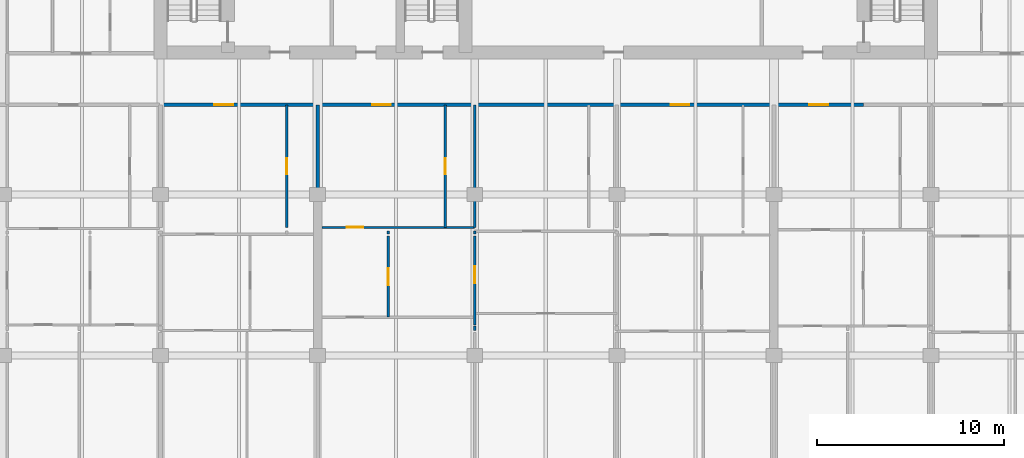
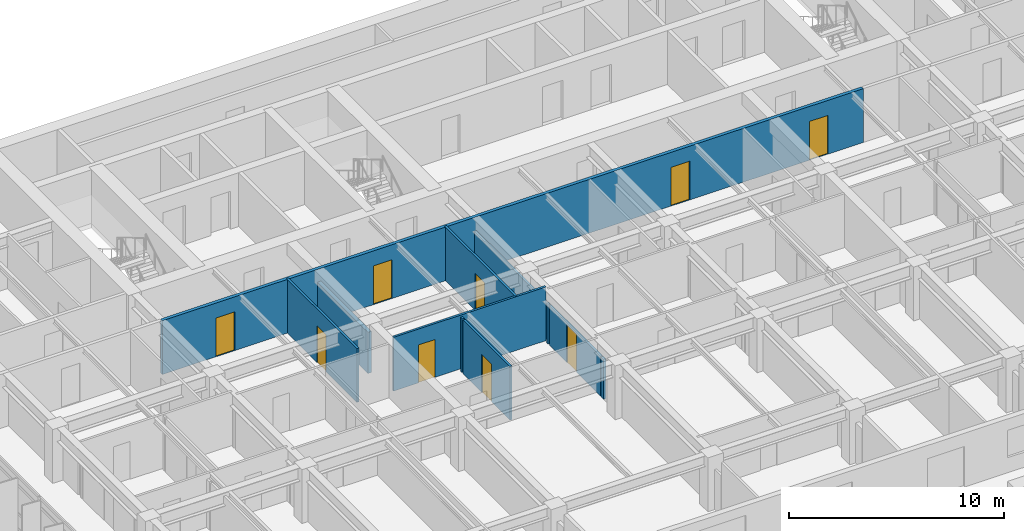
# One storey, part 8 of 17: 11 walls, 9 doors, 9 openings.
"""IFC4 building model written with IfcOpenShell, lengths in metres."""

from ifc_helpers import new_model, si_unit, direction, frame, frame_2d, origin, place, context, subcontext, project, spatial, rectangle, extrude, material, layer, layer_set, type_object, element, fill, save


model = new_model("IFC4")

# Units and contexts
model_context = context("Model", 3, precision=1e-05, world=origin(), true_north=direction((0.0, 1.0)))
body_context = subcontext(model_context, "Body", "Model", "MODEL_VIEW")
ifc_project = project(units=[si_unit("LENGTHUNIT", "METRE"), si_unit("AREAUNIT", "SQUARE_METRE"), si_unit("VOLUMEUNIT", "CUBIC_METRE"), si_unit("PLANEANGLEUNIT", "RADIAN"), si_unit("MASSUNIT", "GRAM", prefix="KILO")], contexts=[model_context])

# Site, building, storey
site_placement = place(None, origin())
site = spatial("IfcSite", under=ifc_project, at=site_placement, CompositionType="ELEMENT")
building_placement = place(site_placement, origin())
building = spatial("IfcBuilding", under=site, at=building_placement, Name="Caelmar Bay Residences", CompositionType="ELEMENT")
storey_placement = place(building_placement, frame((0.0, 0.0, 157.199951171875)))
storey = spatial("IfcBuildingStorey", under=building, at=storey_placement, Name="L43", CompositionType="ELEMENT", Elevation=157.199951171875)

# Wall, openings, doors
ifc_material_1 = material(Name="Double-stud acoustic fire-rated gypsum partition 180 mm")
ifc_layer_1 = layer(ifc_material_1, 0.179931640625)
ifc_layer_set_1 = layer_set([ifc_layer_1], Name="Double-stud acoustic fire-rated gypsum partition 180 mm")
wall_type_1 = type_object("IfcWallType", Name="W-COR-200", PredefinedType="PARTITIONING", material=ifc_layer_set_1)
wall_1_placement = place(storey_placement, frame((18.300048828125, 34.199951171875, 0.0), z_axis=(0.0, 0.0, 1.0), x_axis=(1.0, 0.0, 0.0)))
wall_1 = element("IfcWall", 1, at=wall_1_placement, inside=storey, type_object=wall_type_1, Name="L43 Partition Wall H119", PredefinedType="PARTITIONING", context=body_context, shape_type="SweptSolid", body=[
    extrude(rectangle(XDim=37.5859375, YDim=0.179931640625, at=frame_2d((18.79296875, 0.0))), origin(), (0.0, 0.0, 1.0), 3.050048828125),
])
opening_1_placement = place(wall_1_placement, frame((2.875, 0.0, 0.0)))
opening_1 = element("IfcOpeningElement", 2, at=opening_1_placement, cuts=wall_1, Name="Opening D-L43-126", PredefinedType="OPENING", context=body_context, shape_type="SweptSolid", body=[
    extrude(rectangle(XDim=1.0, YDim=2.199951171875, at=frame_2d((0.5, 1.10009765625))), frame((0.0, 0.099853515625, 0.0), z_axis=(0.0, -1.0, 0.0), x_axis=(1.0, 0.0, 0.0)), (0.0, 0.0, 1.0), 0.199951171875),
])
opening_2_placement = place(wall_1_placement, frame((11.31494140625, 0.0, 0.0)))
opening_2 = element("IfcOpeningElement", 3, at=opening_2_placement, cuts=wall_1, Name="Opening D-L43-132", PredefinedType="OPENING", context=body_context, shape_type="SweptSolid", body=[
    extrude(rectangle(XDim=1.0, YDim=2.199951171875, at=frame_2d((0.5, 1.10009765625))), frame((0.0, 0.099853515625, 0.0), z_axis=(0.0, -1.0, 0.0), x_axis=(1.0, 0.0, 0.0)), (0.0, 0.0, 1.0), 0.199951171875),
])
opening_3_placement = place(wall_1_placement, frame((27.27490234375, 0.0, 0.0)))
opening_3 = element("IfcOpeningElement", 4, at=opening_3_placement, cuts=wall_1, Name="Opening D-L43-142", PredefinedType="OPENING", context=body_context, shape_type="SweptSolid", body=[
    extrude(rectangle(XDim=1.0, YDim=2.199951171875, at=frame_2d((0.5, 1.10009765625))), frame((0.0, 0.099853515625, 0.0), z_axis=(0.0, -1.0, 0.0), x_axis=(1.0, 0.0, 0.0)), (0.0, 0.0, 1.0), 0.199951171875),
])
opening_4_placement = place(wall_1_placement, frame((34.693115234375, 0.0, 0.0)))
opening_4 = element("IfcOpeningElement", 5, at=opening_4_placement, cuts=wall_1, Name="Opening D-L43-148", PredefinedType="OPENING", context=body_context, shape_type="SweptSolid", body=[
    extrude(rectangle(XDim=1.0, YDim=2.199951171875, at=frame_2d((0.5, 1.10009765625))), frame((0.0, 0.099853515625, 0.0), z_axis=(0.0, -1.0, 0.0), x_axis=(1.0, 0.0, 0.0)), (0.0, 0.0, 1.0), 0.199951171875),
])
ifc_material_2 = material(Name="Fire-rated steel and walnut architectural door assembly", Category="steel")
ifc_layer_2 = layer(ifc_material_2, 0.050048828125)
ifc_layer_set_2 = layer_set([ifc_layer_2], Name="Fire-rated steel and walnut architectural door assembly")
door_type_1 = type_object("IfcDoorType", Name="D-UNIT-1000", OperationType="NOTDEFINED", PredefinedType="DOOR", material=ifc_layer_set_2)
door_1_placement = place(opening_1_placement, origin())
door_1 = element("IfcDoor", 6, at=door_1_placement, inside=storey, type_object=door_type_1, Name="L43 Residence 02 Apartment Hall Door", OperationType="SINGLE_SWING_LEFT", OverallHeight=2.199951171875, OverallWidth=1.0, PredefinedType="DOOR", context=body_context, shape_type="SweptSolid", body=[
    extrude(rectangle(XDim=1.0, YDim=2.199951171875, at=frame_2d((0.5, 1.10009765625))), frame((0.0, 0.02490234375, 0.0), z_axis=(0.0, -1.0, 0.0), x_axis=(1.0, 0.0, 0.0)), (0.0, 0.0, 1.0), 0.050048828125),
])
fill(opening_1, door_1)
door_2_placement = place(opening_2_placement, origin())
door_2 = element("IfcDoor", 7, at=door_2_placement, inside=storey, type_object=door_type_1, Name="L43 Residence 03 Apartment Hall Door", OperationType="SINGLE_SWING_LEFT", OverallHeight=2.199951171875, OverallWidth=1.0, PredefinedType="DOOR", context=body_context, shape_type="SweptSolid", body=[
    extrude(rectangle(XDim=1.0, YDim=2.199951171875, at=frame_2d((0.5, 1.10009765625))), frame((0.0, 0.02490234375, 0.0), z_axis=(0.0, -1.0, 0.0), x_axis=(1.0, 0.0, 0.0)), (0.0, 0.0, 1.0), 0.050048828125),
])
fill(opening_2, door_2)
door_3_placement = place(opening_3_placement, origin())
door_3 = element("IfcDoor", 8, at=door_3_placement, inside=storey, type_object=door_type_1, Name="L43 Residence 04 Apartment Hall Door", OperationType="SINGLE_SWING_LEFT", OverallHeight=2.199951171875, OverallWidth=1.0, PredefinedType="DOOR", context=body_context, shape_type="SweptSolid", body=[
    extrude(rectangle(XDim=1.0, YDim=2.199951171875, at=frame_2d((0.5, 1.10009765625))), frame((0.0, 0.02490234375, 0.0), z_axis=(0.0, -1.0, 0.0), x_axis=(1.0, 0.0, 0.0)), (0.0, 0.0, 1.0), 0.050048828125),
])
fill(opening_3, door_3)
door_4_placement = place(opening_4_placement, origin())
door_4 = element("IfcDoor", 9, at=door_4_placement, inside=storey, type_object=door_type_1, Name="L43 Residence 05 Apartment Hall Door", OperationType="SINGLE_SWING_LEFT", OverallHeight=2.199951171875, OverallWidth=1.0, PredefinedType="DOOR", context=body_context, shape_type="SweptSolid", body=[
    extrude(rectangle(XDim=1.0, YDim=2.199951171875, at=frame_2d((0.5, 1.10009765625))), frame((0.0, 0.02490234375, 0.0), z_axis=(0.0, -1.0, 0.0), x_axis=(1.0, 0.0, 0.0)), (0.0, 0.0, 1.0), 0.050048828125),
])
fill(opening_4, door_4)

# Wall, opening, door
ifc_material_3 = material(Name="Acoustic metal-stud gypsum partition 120 mm")
ifc_layer_3 = layer(ifc_material_3, 0.1201171875)
ifc_layer_set_3 = layer_set([ifc_layer_3], Name="Acoustic metal-stud gypsum partition 120 mm")
wall_type_2 = type_object("IfcWallType", Name="W-PRT-120", PredefinedType="PARTITIONING", material=ifc_layer_set_3)
wall_2_placement = place(storey_placement, frame((25.050048828125, 27.639892578125, 0.0), z_axis=(0.0, 0.0, 1.0), x_axis=(0.0, 1.0, 0.0)))
wall_2 = element("IfcWall", 10, at=wall_2_placement, inside=storey, type_object=wall_type_2, Name="L43 Partition Wall V029", PredefinedType="PARTITIONING", context=body_context, shape_type="SweptSolid", body=[
    extrude(rectangle(XDim=6.56005859375, YDim=0.1201171875, at=frame_2d((3.280029296875, 0.0))), origin(), (0.0, 0.0, 1.0), 3.050048828125),
])
opening_5_placement = place(wall_2_placement, frame((2.85498046875, 0.0, 0.0)))
opening_5 = element("IfcOpeningElement", 11, at=opening_5_placement, cuts=wall_2, Name="Opening D-L43-127", PredefinedType="OPENING", context=body_context, shape_type="SweptSolid", body=[
    extrude(rectangle(XDim=0.85009765625, YDim=2.10009765625, at=frame_2d((0.425048828125, 1.050048828125))), frame((0.0, 0.070068359375, 0.0), z_axis=(0.0, -1.0, 0.0), x_axis=(1.0, 0.0, 0.0)), (0.0, 0.0, 1.0), 0.14013671875),
])
ifc_material_4 = material(Name="Solid walnut timber interior door leaf and frame", Category="wood")
ifc_layer_4 = layer(ifc_material_4, 0.050048828125)
ifc_layer_set_4 = layer_set([ifc_layer_4], Name="Solid walnut timber interior door leaf and frame")
door_type_2 = type_object("IfcDoorType", Name="D-BATH-850", OperationType="NOTDEFINED", PredefinedType="DOOR", material=ifc_layer_set_4)
door_5_placement = place(opening_5_placement, origin())
door_5 = element("IfcDoor", 12, at=door_5_placement, inside=storey, type_object=door_type_2, Name="L43 Residence 02 Bathroom Door", OperationType="SINGLE_SWING_RIGHT", OverallHeight=2.10009765625, OverallWidth=0.85009765625, PredefinedType="DOOR", context=body_context, shape_type="SweptSolid", body=[
    extrude(rectangle(XDim=0.85009765625, YDim=2.10009765625, at=frame_2d((0.425048828125, 1.050048828125))), frame((0.0, 0.02490234375, 0.0), z_axis=(0.0, -1.0, 0.0), x_axis=(1.0, 0.0, 0.0)), (0.0, 0.0, 1.0), 0.050048828125),
])
fill(opening_5, door_5)

wall_3_placement = place(storey_placement, frame((30.47998046875, 22.840087890625, 0.0), z_axis=(0.0, 0.0, 1.0), x_axis=(0.0, 1.0, 0.0)))
wall_3 = element("IfcWall", 13, at=wall_3_placement, inside=storey, type_object=wall_type_2, Name="L43 Partition Wall V036", PredefinedType="PARTITIONING", context=body_context, shape_type="SweptSolid", body=[
    extrude(rectangle(XDim=4.33984375, YDim=0.1201171875, at=frame_2d((2.169921875, 0.0))), origin(), (0.0, 0.0, 1.0), 3.050048828125),
])
opening_6_placement = place(wall_3_placement, frame((1.719970703125, 0.0, 0.0)))
opening_6 = element("IfcOpeningElement", 14, at=opening_6_placement, cuts=wall_3, Name="Opening D-L43-135", PredefinedType="OPENING", context=body_context, shape_type="SweptSolid", body=[
    extrude(rectangle(XDim=0.89990234375, YDim=2.14990234375, at=frame_2d((0.449951171875, 1.074951171875))), frame((0.0, 0.070068359375, 0.0), z_axis=(0.0, -1.0, 0.0), x_axis=(1.0, 0.0, 0.0)), (0.0, 0.0, 1.0), 0.14013671875),
])
ifc_layer_5 = layer(ifc_material_4, 0.050048828125)
ifc_layer_set_5 = layer_set([ifc_layer_5], Name="Solid walnut timber interior door leaf and frame")
door_type_3 = type_object("IfcDoorType", Name="D-ROOM-900", OperationType="NOTDEFINED", PredefinedType="DOOR", material=ifc_layer_set_5)
door_6_placement = place(opening_6_placement, origin())
door_6 = element("IfcDoor", 15, at=door_6_placement, inside=storey, type_object=door_type_3, Name="L43 Residence 03 Kitchen Door", OperationType="SINGLE_SWING_RIGHT", OverallHeight=2.14990234375, OverallWidth=0.89990234375, PredefinedType="DOOR", context=body_context, shape_type="SweptSolid", body=[
    extrude(rectangle(XDim=0.89990234375, YDim=2.14990234375, at=frame_2d((0.449951171875, 1.074951171875))), frame((0.0, 0.02490234375, 0.0), z_axis=(0.0, -1.0, 0.0), x_axis=(1.0, 0.0, 0.0)), (0.0, 0.0, 1.0), 0.050048828125),
])
fill(opening_6, door_6)

# Wall
wall_4_placement = place(storey_placement, frame((30.47998046875, 27.280029296875, 0.0), z_axis=(0.0, 0.0, 1.0), x_axis=(0.0, 1.0, 0.0)))
element("IfcWall", 16, at=wall_4_placement, inside=storey, type_object=wall_type_2, Name="L43 Partition Wall V037", PredefinedType="PARTITIONING", context=body_context, shape_type="SweptSolid", body=[
    extrude(rectangle(XDim=0.159912109375, YDim=0.1201171875, at=frame_2d((0.080078125, 0.0))), origin(), (0.0, 0.0, 1.0), 3.050048828125),
])

# Wall, opening, door
wall_5_placement = place(storey_placement, frame((33.530029296875, 27.639892578125, 0.0), z_axis=(0.0, 0.0, 1.0), x_axis=(0.0, 1.0, 0.0)))
wall_5 = element("IfcWall", 17, at=wall_5_placement, inside=storey, type_object=wall_type_2, Name="L43 Partition Wall V038", PredefinedType="PARTITIONING", context=body_context, shape_type="SweptSolid", body=[
    extrude(rectangle(XDim=6.56005859375, YDim=0.1201171875, at=frame_2d((3.280029296875, 0.0))), origin(), (0.0, 0.0, 1.0), 3.050048828125),
])
opening_7_placement = place(wall_5_placement, frame((2.85498046875, 0.0, 0.0)))
opening_7 = element("IfcOpeningElement", 18, at=opening_7_placement, cuts=wall_5, Name="Opening D-L43-133", PredefinedType="OPENING", context=body_context, shape_type="SweptSolid", body=[
    extrude(rectangle(XDim=0.85009765625, YDim=2.10009765625, at=frame_2d((0.425048828125, 1.050048828125))), frame((0.0, 0.070068359375, 0.0), z_axis=(0.0, -1.0, 0.0), x_axis=(1.0, 0.0, 0.0)), (0.0, 0.0, 1.0), 0.14013671875),
])
door_7_placement = place(opening_7_placement, origin())
door_7 = element("IfcDoor", 19, at=door_7_placement, inside=storey, type_object=door_type_2, Name="L43 Residence 03 Guest Bathroom Door", OperationType="SINGLE_SWING_RIGHT", OverallHeight=2.10009765625, OverallWidth=0.85009765625, PredefinedType="DOOR", context=body_context, shape_type="SweptSolid", body=[
    extrude(rectangle(XDim=0.85009765625, YDim=2.10009765625, at=frame_2d((0.425048828125, 1.050048828125))), frame((0.0, 0.02490234375, 0.0), z_axis=(0.0, -1.0, 0.0), x_axis=(1.0, 0.0, 0.0)), (0.0, 0.0, 1.0), 0.050048828125),
])
fill(opening_7, door_7)

# Wall
wall_6_placement = place(storey_placement, frame((35.10009765625, 22.1298828125, 0.0), z_axis=(0.0, 0.0, 1.0), x_axis=(0.0, 1.0, 0.0)))
element("IfcWall", 20, at=wall_6_placement, inside=storey, type_object=wall_type_2, Name="L43 Partition Wall V041", PredefinedType="PARTITIONING", context=body_context, shape_type="SweptSolid", body=[
    extrude(rectangle(XDim=0.240234375, YDim=0.1201171875, at=frame_2d((0.1201171875, 0.0))), origin(), (0.0, 0.0, 1.0), 2.262939453125),
])

# Wall, opening, door
wall_7_placement = place(storey_placement, frame((35.10009765625, 22.429931640625, 0.0), z_axis=(0.0, 0.0, 1.0), x_axis=(0.0, 1.0, 0.0)))
wall_7 = element("IfcWall", 21, at=wall_7_placement, inside=storey, type_object=wall_type_2, Name="L43 Partition Wall V042", PredefinedType="PARTITIONING", context=body_context, shape_type="SweptSolid", body=[
    extrude(rectangle(XDim=4.75, YDim=0.1201171875, at=frame_2d((2.375, 0.0))), origin(), (0.0, 0.0, 1.0), 2.262939453125),
])
opening_8_placement = place(wall_7_placement, frame((2.22998046875, 0.0, 0.0)))
opening_8 = element("IfcOpeningElement", 22, at=opening_8_placement, cuts=wall_7, Name="Opening D-L43-137", PredefinedType="OPENING", context=body_context, shape_type="SweptSolid", body=[
    extrude(rectangle(XDim=0.89990234375, YDim=2.14990234375, at=frame_2d((0.449951171875, 1.074951171875))), frame((0.0, 0.070068359375, 0.0), z_axis=(0.0, -1.0, 0.0), x_axis=(1.0, 0.0, 0.0)), (0.0, 0.0, 1.0), 0.14013671875),
])
door_8_placement = place(opening_8_placement, origin())
door_8 = element("IfcDoor", 23, at=door_8_placement, inside=storey, type_object=door_type_3, Name="L43 Residence 03 Family Room 1 Door", OperationType="SINGLE_SWING_RIGHT", OverallHeight=2.14990234375, OverallWidth=0.89990234375, PredefinedType="DOOR", context=body_context, shape_type="SweptSolid", body=[
    extrude(rectangle(XDim=0.89990234375, YDim=2.14990234375, at=frame_2d((0.449951171875, 1.074951171875))), frame((0.0, 0.02490234375, 0.0), z_axis=(0.0, -1.0, 0.0), x_axis=(1.0, 0.0, 0.0)), (0.0, 0.0, 1.0), 0.050048828125),
])
fill(opening_8, door_8)

# Walls
wall_8_placement = place(storey_placement, frame((35.10009765625, 27.280029296875, 0.0), z_axis=(0.0, 0.0, 1.0), x_axis=(0.0, 1.0, 0.0)))
element("IfcWall", 24, at=wall_8_placement, inside=storey, type_object=wall_type_2, Name="L43 Partition Wall V043", PredefinedType="PARTITIONING", context=body_context, shape_type="SweptSolid", body=[
    extrude(rectangle(XDim=0.159912109375, YDim=0.1201171875, at=frame_2d((0.080078125, 0.0))), origin(), (0.0, 0.0, 1.0), 2.262939453125),
])
wall_9_placement = place(storey_placement, frame((35.10009765625, 27.639892578125, 0.0), z_axis=(0.0, 0.0, 1.0), x_axis=(0.0, 1.0, 0.0)))
element("IfcWall", 25, at=wall_9_placement, inside=storey, type_object=wall_type_2, Name="L43 Partition Wall V044", PredefinedType="PARTITIONING", context=body_context, shape_type="SweptSolid", body=[
    extrude(rectangle(XDim=6.56005859375, YDim=0.1201171875, at=frame_2d((3.280029296875, 0.0))), origin(), (0.0, 0.0, 1.0), 2.262939453125),
])

# Wall, opening, door
wall_10_placement = place(storey_placement, frame((26.919921875, 27.639892578125, 0.0), z_axis=(0.0, 0.0, 1.0), x_axis=(1.0, 0.0, 0.0)))
wall_10 = element("IfcWall", 26, at=wall_10_placement, inside=storey, type_object=wall_type_2, Name="L43 Partition Wall H116", PredefinedType="PARTITIONING", context=body_context, shape_type="SweptSolid", body=[
    extrude(rectangle(XDim=8.175048828125, YDim=0.1201171875, at=frame_2d((4.08740234375, 0.0))), origin(), (0.0, 0.0, 1.0), 3.050048828125),
])
opening_9_placement = place(wall_10_placement, frame((1.330078125, 0.0, 0.0)))
opening_9 = element("IfcOpeningElement", 27, at=opening_9_placement, cuts=wall_10, Name="Opening D-L43-134", PredefinedType="OPENING", context=body_context, shape_type="SweptSolid", body=[
    extrude(rectangle(XDim=0.89990234375, YDim=2.14990234375, at=frame_2d((0.449951171875, 1.074951171875))), frame((0.0, 0.070068359375, 0.0), z_axis=(0.0, -1.0, 0.0), x_axis=(1.0, 0.0, 0.0)), (0.0, 0.0, 1.0), 0.14013671875),
])
door_9_placement = place(opening_9_placement, origin())
door_9 = element("IfcDoor", 28, at=door_9_placement, inside=storey, type_object=door_type_3, Name="L43 Residence 03 Dining Room Door", OperationType="SINGLE_SWING_LEFT", OverallHeight=2.14990234375, OverallWidth=0.89990234375, PredefinedType="DOOR", context=body_context, shape_type="SweptSolid", body=[
    extrude(rectangle(XDim=0.89990234375, YDim=2.14990234375, at=frame_2d((0.449951171875, 1.074951171875))), frame((0.0, 0.02490234375, 0.0), z_axis=(0.0, -1.0, 0.0), x_axis=(1.0, 0.0, 0.0)), (0.0, 0.0, 1.0), 0.050048828125),
])
fill(opening_9, door_9)

# Wall
ifc_material_5 = material(Name="Acoustic twin-stud fire-rated inter-tenancy partition 200 mm")
ifc_layer_6 = layer(ifc_material_5, 0.199951171875)
ifc_layer_set_6 = layer_set([ifc_layer_6], Name="Acoustic twin-stud fire-rated inter-tenancy partition 200 mm")
wall_type_3 = type_object("IfcWallType", Name="W-PTY-200", PredefinedType="PARTITIONING", material=ifc_layer_set_6)
wall_11_placement = place(storey_placement, frame((26.699951171875, 29.405029296875, 0.0), z_axis=(0.0, 0.0, 1.0), x_axis=(0.0, 1.0, 0.0)))
element("IfcWall", 29, at=wall_11_placement, inside=storey, type_object=wall_type_3, Name="L43 Partition Wall V033", PredefinedType="PARTITIONING", context=body_context, shape_type="SweptSolid", body=[
    extrude(rectangle(XDim=4.794921875, YDim=0.199951171875, at=frame_2d((2.3974609375, 0.0))), origin(), (0.0, 0.0, 1.0), 2.3349609375),
])

save(model, "model.ifc")
